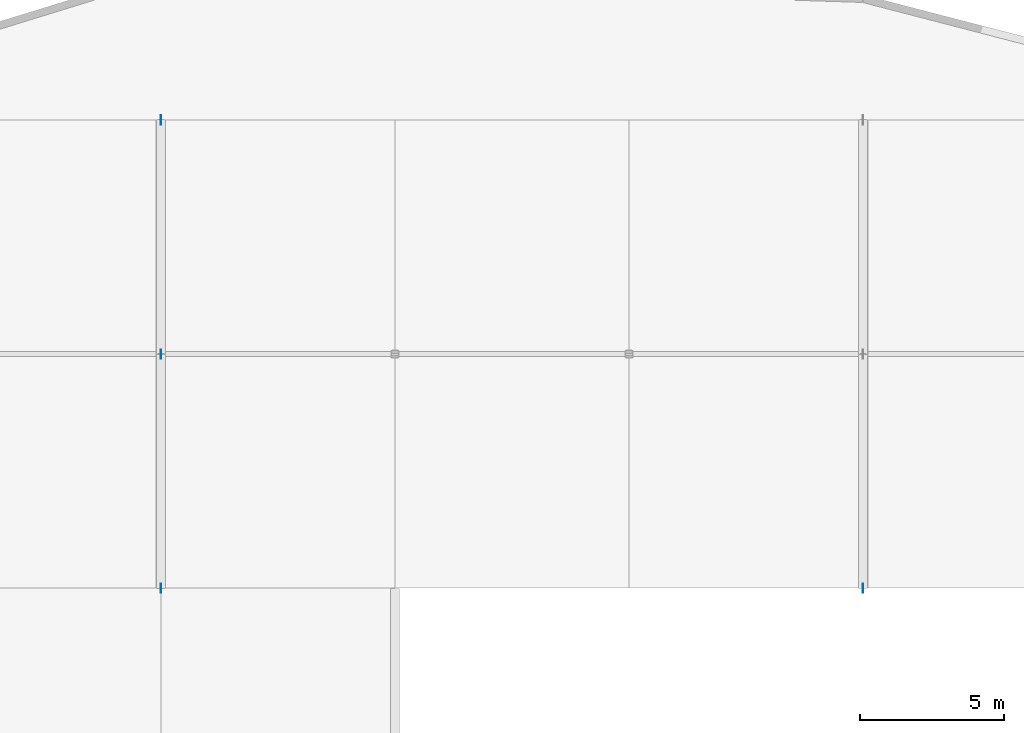
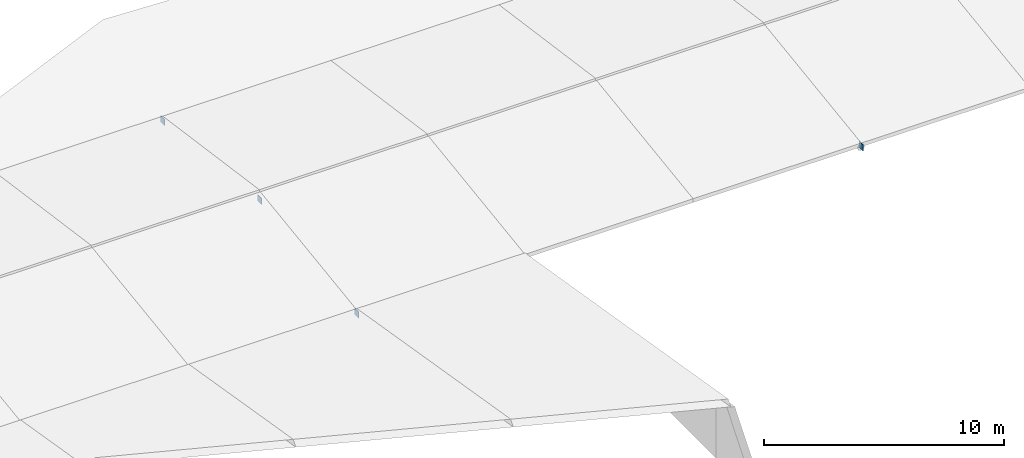
# One storey, part 58 of 70: 4 discrete accessories.
"""IFC4 building model written with IfcOpenShell, lengths in metres."""

from ifc_helpers import new_model, si_unit, direction, frame, origin, origin_2d, place, context, subcontext, project, spatial, rectangle, extrude, material, type_object, element, save


model = new_model("IFC4")

# Units and contexts
model_context = context("Model", 3, precision=1e-05, world=origin(), true_north=direction((0.0, 1.0)))
body_context = subcontext(model_context, "Body", "Model", "MODEL_VIEW")
ifc_project = project(units=[si_unit("LENGTHUNIT", "METRE"), si_unit("AREAUNIT", "SQUARE_METRE"), si_unit("VOLUMEUNIT", "CUBIC_METRE"), si_unit("PLANEANGLEUNIT", "RADIAN"), si_unit("MASSUNIT", "GRAM", prefix="KILO")], contexts=[model_context])

# Site, building, storey
site_placement = place(None, origin())
site = spatial("IfcSite", under=ifc_project, at=site_placement, CompositionType="ELEMENT")
building_placement = place(site_placement, origin())
building = spatial("IfcBuilding", under=site, at=building_placement, Name="Vaudrelin Polytechnic", CompositionType="ELEMENT")
storey_placement = place(building_placement, frame((0.0, 0.0, 14.110107421875)))
storey = spatial("IfcBuildingStorey", under=building, at=storey_placement, Name="L03", CompositionType="ELEMENT", Elevation=14.110107421875)

# Discrete accessories
ifc_material = material(Name="Steel CSA G40.21 350WT", Category="steel")
discrete_accessory_type = type_object("IfcDiscreteAccessoryType", Name="ACC-CPL-01", PredefinedType="BRACKET", material=ifc_material)
for number, where, z_axis, x_axis, name in (
    (1, (72.89990234375, 40.5, 0.7734375), (0.0, 0.0, 1.0), (1.0, 0.0, 0.0), "Brace end connection plate CPL-047"),
    (2, (72.89990234375, 32.39990234375, -0.10009765625), (0.0, 0.0, 1.0), (1.0, 0.0, 0.0), "Brace end connection plate CPL-048"),
    (3, (72.89990234375, 48.60009765625, -0.10009765625), (0.0, 0.0, 1.0), (1.0, 0.0, 0.0), "Brace end connection plate CPL-049"),
    (4, (97.199951171875, 32.39990234375, -0.10009765625), (0.0, 0.0, 1.0), (1.0, 0.0, 0.0), "Brace end connection plate CPL-051"),
):
    element("IfcDiscreteAccessory", number, at=place(storey_placement, frame(where, z_axis=z_axis, x_axis=x_axis)), inside=storey, type_object=discrete_accessory_type, Name=name, PredefinedType="BRACKET", context=body_context, shape_type="SweptSolid", body=[
        extrude(rectangle(XDim=0.02392578125, YDim=0.320068359375, at=origin_2d()), origin(), (0.0, 0.0, 1.0), 0.320068359375),
    ])

save(model, "model.ifc")
